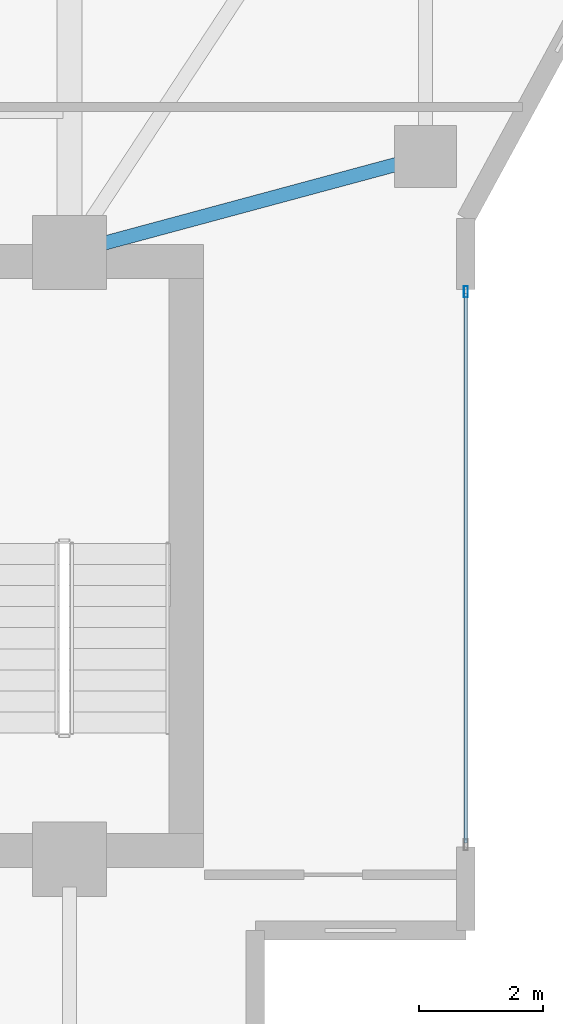
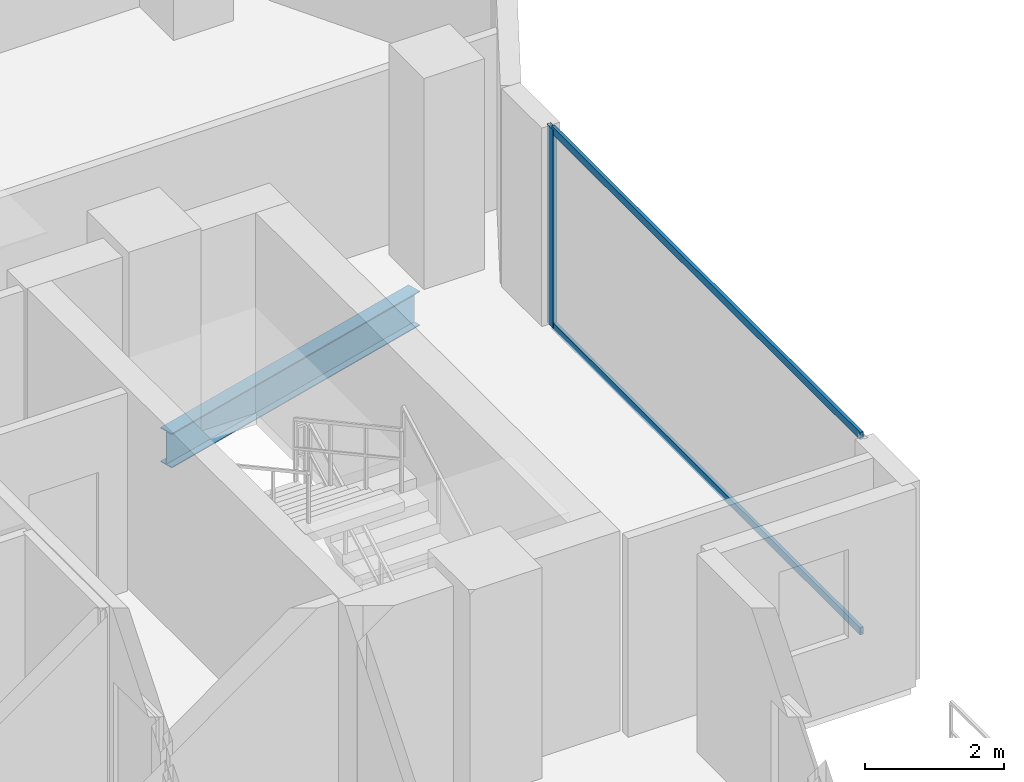
# One storey, part 9 of 26: 3 members, 1 beam, 1 element without a shape of its own.
"""IFC4 building model written with IfcOpenShell, lengths in metres."""

from ifc_helpers import new_model, si_unit, direction, frame, origin, origin_2d, place, context, subcontext, project, spatial, hollow_rectangle, i_section, extrude, material, layer, layer_set, material_profile, profile_set, type_object, element, aggregate, save


model = new_model("IFC4")

# Units and contexts
model_context = context("Model", 3, precision=1e-05, world=origin(), true_north=direction((0.0, 1.0)))
body_context = subcontext(model_context, "Body", "Model", "MODEL_VIEW")
ifc_project = project(units=[si_unit("LENGTHUNIT", "METRE"), si_unit("AREAUNIT", "SQUARE_METRE"), si_unit("VOLUMEUNIT", "CUBIC_METRE"), si_unit("PLANEANGLEUNIT", "RADIAN"), si_unit("MASSUNIT", "GRAM", prefix="KILO")], contexts=[model_context])

# Site, building, storey
site_placement = place(None, origin())
site = spatial("IfcSite", under=ifc_project, at=site_placement, CompositionType="ELEMENT")
building_placement = place(site_placement, origin())
building = spatial("IfcBuilding", under=site, at=building_placement, Name="Zuhayl Quay Hotel", CompositionType="ELEMENT")
storey_placement = place(building_placement, frame((0.0, 0.0, 254.449951171875)))
storey = spatial("IfcBuildingStorey", under=building, at=storey_placement, Name="L64", CompositionType="ELEMENT", Elevation=254.449951171875)

# Beam
ifc_material_1 = material(Name="Steel ASTM A992 Grade 50", Category="steel")
ifc_material_profile_1 = material_profile(ifc_material_1, i_section(OverallWidth=0.22802734375, OverallDepth=0.60693359375, WebThickness=0.01123046875, FlangeThickness=0.017333984375, at=origin_2d()), Name="W24X76")
ifc_profile_set_1 = profile_set([ifc_material_profile_1], Name="Steel ASTM A992 Grade 50")
beam_type = type_object("IfcBeamType", Name="BM_B3_W24X76", PredefinedType="BEAM", material=ifc_profile_set_1)
beam_placement = place(storey_placement, frame((14.234619140625, 14.467041015625, -0.5234375), z_axis=(0.965530205773, 0.26029103277, 0.0), x_axis=(-0.26029103277, 0.965530205773, 0.0)))
element("IfcBeam", 1, at=beam_placement, inside=storey, type_object=beam_type, Name="L64 Floor Beam FG_E_L64_1", PredefinedType="BEAM", context=body_context, shape_type="SweptSolid", body=[
    extrude(i_section(OverallWidth=0.22802734375, OverallDepth=0.60693359375, WebThickness=0.01123046875, FlangeThickness=0.017333984375, at=origin_2d()), origin(), (0.0, 0.0, 1.0), 5.045166015625),
])

# Curtain wall, members
ifc_material_2 = material(Name="Anodised Aluminium 6063-T6", Category="aluminium")
ifc_layer = layer(ifc_material_2, 0.169921875, Name="Anodised Aluminium 6063-T6", Category="aluminium")
ifc_layer_set = layer_set([ifc_layer], Name="Anodised Aluminium 6063-T6")
curtain_wall_type = type_object("IfcCurtainWallType", Name="CW_SYS_Z4", PredefinedType="USERDEFINED", material=ifc_layer_set)
curtain_wall_placement = place(storey_placement, origin())
curtain_wall = element("IfcCurtainWall", 2, at=curtain_wall_placement, inside=storey, type_object=curtain_wall_type, Name="L64 Curtain Wall ENV_L64_E14_CW1", ObjectType="UNITISED CURTAIN WALL", PredefinedType="USERDEFINED")
ifc_material_3 = material(Name="Black-anodised aluminium 6063-T6", Category="aluminium")
ifc_material_profile_2 = material_profile(ifc_material_3, hollow_rectangle(XDim=0.06494140625, YDim=0.179931640625, WallThickness=0.00341796875, at=origin_2d()), Name="ALU180X65")
ifc_profile_set_2 = profile_set([ifc_material_profile_2], Name="Black-anodised aluminium 6063-T6")
member_type_1 = type_object("IfcMemberType", Name="MB_CW_MUL_180", PredefinedType="MULLION", material=ifc_profile_set_2)
member_1_placement = place(storey_placement, frame((20.199951171875, 13.717529296875, 0.0), z_axis=(0.0, 0.0, 1.0), x_axis=(1.0, 0.0, 0.0)))
member_1 = element("IfcMember", 3, at=member_1_placement, type_object=member_type_1, Name="CW-Z4 mullion 1", PredefinedType="MULLION", context=body_context, shape_type="SweptSolid", body=[
    extrude(hollow_rectangle(XDim=0.06494140625, YDim=0.179931640625, WallThickness=0.00341796875, at=origin_2d()), origin(), (0.0, 0.0, 1.0), 3.47998046875),
])
ifc_material_profile_3 = material_profile(ifc_material_3, hollow_rectangle(XDim=0.054931640625, YDim=0.1298828125, WallThickness=0.0029296875, at=origin_2d()), Name="ALU130X55")
ifc_profile_set_3 = profile_set([ifc_material_profile_3], Name="Black-anodised aluminium 6063-T6")
member_type_2 = type_object("IfcMemberType", Name="MB_CW_TRN_130", PredefinedType="USERDEFINED", material=ifc_profile_set_3)
member_2_placement = place(storey_placement, frame((20.199951171875, 13.68505859375, 0.027587890625), z_axis=(0.0, -1.0, 0.0), x_axis=(1.0, 0.0, 0.0)))
member_2 = element("IfcMember", 4, at=member_2_placement, type_object=member_type_2, Name="CW-Z4 transom 1.1", ObjectType="TRANSOM", PredefinedType="USERDEFINED", context=body_context, shape_type="SweptSolid", body=[
    extrude(hollow_rectangle(XDim=0.054931640625, YDim=0.1298828125, WallThickness=0.0029296875, at=origin_2d()), origin(), (0.0, 0.0, 1.0), 8.8701171875),
])
member_3_placement = place(storey_placement, frame((20.199951171875, 13.68505859375, 3.45263671875), z_axis=(0.0, -1.0, 0.0), x_axis=(1.0, 0.0, 0.0)))
member_3 = element("IfcMember", 5, at=member_3_placement, type_object=member_type_2, Name="CW-Z4 transom 1.2", ObjectType="TRANSOM", PredefinedType="USERDEFINED", context=body_context, shape_type="SweptSolid", body=[
    extrude(hollow_rectangle(XDim=0.054931640625, YDim=0.1298828125, WallThickness=0.0029296875, at=origin_2d()), origin(), (0.0, 0.0, 1.0), 8.8701171875),
])
aggregate(curtain_wall, [member_1, member_2, member_3])

save(model, "model.ifc")
